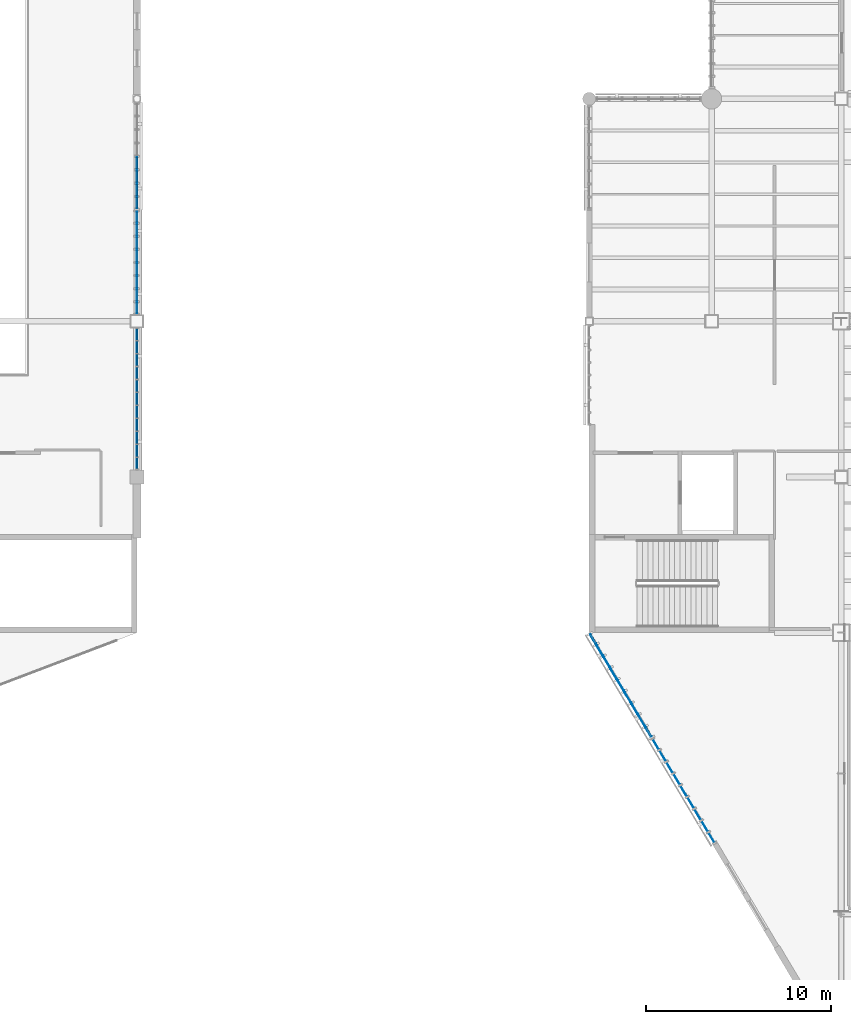
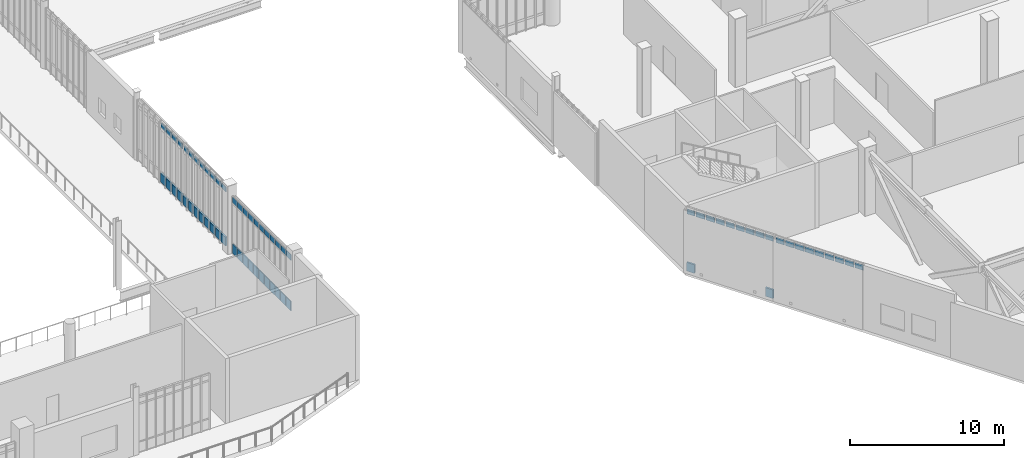
# One storey, part 95 of 135: 66 plates, 5 elements without a shape of their own.
"""IFC4 building model written with IfcOpenShell, lengths in metres."""

from ifc_helpers import new_model, si_unit, direction, frame, origin, origin_2d, place, context, subcontext, project, spatial, rectangle, extrude, material, layer, layer_set, type_object, element, aggregate, save


model = new_model("IFC4")

# Units and contexts
model_context = context("Model", 3, precision=1e-05, world=origin(), true_north=direction((0.0, 1.0)))
body_context = subcontext(model_context, "Body", "Model", "MODEL_VIEW")
ifc_project = project(units=[si_unit("LENGTHUNIT", "METRE"), si_unit("AREAUNIT", "SQUARE_METRE"), si_unit("VOLUMEUNIT", "CUBIC_METRE"), si_unit("PLANEANGLEUNIT", "RADIAN"), si_unit("MASSUNIT", "GRAM", prefix="KILO")], contexts=[model_context])

# Site, building, storey
site_placement = place(None, origin())
site = spatial("IfcSite", under=ifc_project, at=site_placement, CompositionType="ELEMENT")
building_placement = place(site_placement, origin())
building = spatial("IfcBuilding", under=site, at=building_placement, Name="Larkvane Passage Sports Hall", CompositionType="ELEMENT")
storey_placement = place(building_placement, frame((0.0, 0.0, 16.800048828125)))
storey = spatial("IfcBuildingStorey", under=building, at=storey_placement, Name="L03", CompositionType="ELEMENT", Elevation=16.800048828125)

# Curtain wall, plates
ifc_material_1 = material(Name="Thermally broken aluminium and low-E glazing", Category="aluminium")
curtain_wall_type_1 = type_object("IfcCurtainWallType", Name="CW-STICK-FOYER", PredefinedType="USERDEFINED", material=ifc_material_1)
curtain_wall_1_placement = place(storey_placement, origin())
curtain_wall_1 = element("IfcCurtainWall", 1, at=curtain_wall_1_placement, inside=storey, type_object=curtain_wall_type_1, Name="Curtain wall CW5-L03-146", ObjectType="STICK CURTAIN WALL", PredefinedType="USERDEFINED")
ifc_material_2 = material(Name="Fire-stopped shadow-box spandrel panel")
ifc_layer_1 = layer(ifc_material_2, 0.10498046875)
ifc_layer_set_1 = layer_set([ifc_layer_1], Name="Fire-stopped shadow-box spandrel panel")
plate_type_1 = type_object("IfcPlateType", Name="CWP-SPD-105", PredefinedType="CURTAIN_PANEL", material=ifc_layer_set_1)
plate_1_placement = place(storey_placement, frame((93.60009765625, 48.137939453125, 0.08984375), z_axis=(0.0, 0.0, 1.0), x_axis=(0.0, -1.0, 0.0)))
plate_1 = element("IfcPlate", 2, at=plate_1_placement, type_object=plate_type_1, Name="CW-03 panel 5.1", PredefinedType="CURTAIN_PANEL", context=body_context, shape_type="SweptSolid", body=[
    extrude(rectangle(XDim=0.635009765625, YDim=0.10498046875, at=origin_2d()), origin(), (0.0, 0.0, 1.0), 0.715087890625),
])
plate_2_placement = place(storey_placement, frame((93.60009765625, 47.412841796875, 0.08984375), z_axis=(0.0, 0.0, 1.0), x_axis=(0.0, -1.0, 0.0)))
plate_2 = element("IfcPlate", 3, at=plate_2_placement, type_object=plate_type_1, Name="CW-03 panel 6.1", PredefinedType="CURTAIN_PANEL", context=body_context, shape_type="SweptSolid", body=[
    extrude(rectangle(XDim=0.635009765625, YDim=0.10498046875, at=origin_2d()), origin(), (0.0, 0.0, 1.0), 0.715087890625),
])
plate_3_placement = place(storey_placement, frame((93.60009765625, 46.687744140625, 0.08984375), z_axis=(0.0, 0.0, 1.0), x_axis=(0.0, -1.0, 0.0)))
plate_3 = element("IfcPlate", 4, at=plate_3_placement, type_object=plate_type_1, Name="CW-03 panel 7.1", PredefinedType="CURTAIN_PANEL", context=body_context, shape_type="SweptSolid", body=[
    extrude(rectangle(XDim=0.635009765625, YDim=0.10498046875, at=origin_2d()), origin(), (0.0, 0.0, 1.0), 0.715087890625),
])
plate_4_placement = place(storey_placement, frame((93.60009765625, 45.985107421875, 0.08984375), z_axis=(0.0, 0.0, 1.0), x_axis=(0.0, -1.0, 0.0)))
plate_4 = element("IfcPlate", 5, at=plate_4_placement, type_object=plate_type_1, Name="CW-03 panel 8.1", PredefinedType="CURTAIN_PANEL", context=body_context, shape_type="SweptSolid", body=[
    extrude(rectangle(XDim=0.590087890625, YDim=0.10498046875, at=origin_2d()), origin(), (0.0, 0.0, 1.0), 0.715087890625),
])

curtain_wall_type_2 = type_object("IfcCurtainWallType", Name="CW-CLINIC", PredefinedType="USERDEFINED", material=ifc_material_1)
curtain_wall_2_placement = place(storey_placement, origin())
curtain_wall_2 = element("IfcCurtainWall", 6, at=curtain_wall_2_placement, inside=storey, type_object=curtain_wall_type_2, Name="Curtain wall CW5-L03-119", ObjectType="UNITISED CURTAIN WALL", PredefinedType="USERDEFINED")
ifc_material_3 = material(Name="Deep insulated facade spandrel panel")
ifc_layer_2 = layer(ifc_material_3, 0.125)
ifc_layer_set_2 = layer_set([ifc_layer_2], Name="Deep insulated facade spandrel panel")
plate_type_2 = type_object("IfcPlateType", Name="CWP-SPD-125", PredefinedType="CURTAIN_PANEL", material=ifc_layer_set_2)
plate_5_placement = place(storey_placement, frame((121.197265625, 17.439697265625, 0.10986328125), z_axis=(0.0, 0.0, 1.0), x_axis=(-0.512274395044, 0.858821834947, 0.0)))
plate_5 = element("IfcPlate", 7, at=plate_5_placement, type_object=plate_type_2, Name="CW-05 panel 1.1", PredefinedType="CURTAIN_PANEL", context=body_context, shape_type="SweptSolid", body=[
    extrude(rectangle(XDim=0.571044921875, YDim=0.125, at=origin_2d()), origin(), (0.0, 0.0, 1.0), 0.68505859375),
])
plate_6_placement = place(storey_placement, frame((118.208740234375, 22.4501953125, 0.10986328125), z_axis=(0.0, 0.0, 1.0), x_axis=(-0.512274395044, 0.858821834947, 0.0)))
plate_6 = element("IfcPlate", 8, at=plate_6_placement, type_object=plate_type_2, Name="CW-05 panel 9.1", PredefinedType="CURTAIN_PANEL", context=body_context, shape_type="SweptSolid", body=[
    extrude(rectangle(XDim=0.571044921875, YDim=0.125, at=origin_2d()), origin(), (0.0, 0.0, 1.0), 0.68505859375),
])

curtain_wall_3_placement = place(storey_placement, origin())
curtain_wall_3 = element("IfcCurtainWall", 9, at=curtain_wall_3_placement, inside=storey, type_object=curtain_wall_type_2, Name="Curtain wall CW5-L03-147", ObjectType="UNITISED CURTAIN WALL", PredefinedType="USERDEFINED")
plate_7_placement = place(storey_placement, frame((93.60009765625, 45.2216796875, 0.10009765625), z_axis=(0.0, 0.0, 1.0), x_axis=(0.0, -1.0, 0.0)))
plate_7 = element("IfcPlate", 10, at=plate_7_placement, type_object=plate_type_2, Name="CW-05 panel 1.1", PredefinedType="CURTAIN_PANEL", context=body_context, shape_type="SweptSolid", body=[
    extrude(rectangle(XDim=0.556640625, YDim=0.125, at=origin_2d()), origin(), (0.0, 0.0, 1.0), 0.699951171875),
])
plate_8_placement = place(storey_placement, frame((93.60009765625, 44.539794921875, 0.10009765625), z_axis=(0.0, 0.0, 1.0), x_axis=(0.0, -1.0, 0.0)))
plate_8 = element("IfcPlate", 11, at=plate_8_placement, type_object=plate_type_2, Name="CW-05 panel 2.1", PredefinedType="CURTAIN_PANEL", context=body_context, shape_type="SweptSolid", body=[
    extrude(rectangle(XDim=0.606689453125, YDim=0.125, at=origin_2d()), origin(), (0.0, 0.0, 1.0), 0.699951171875),
])
plate_9_placement = place(storey_placement, frame((93.60009765625, 43.8330078125, 0.10009765625), z_axis=(0.0, 0.0, 1.0), x_axis=(0.0, -1.0, 0.0)))
plate_9 = element("IfcPlate", 12, at=plate_9_placement, type_object=plate_type_2, Name="CW-05 panel 3.1", PredefinedType="CURTAIN_PANEL", context=body_context, shape_type="SweptSolid", body=[
    extrude(rectangle(XDim=0.606689453125, YDim=0.125, at=origin_2d()), origin(), (0.0, 0.0, 1.0), 0.699951171875),
])
plate_10_placement = place(storey_placement, frame((93.60009765625, 43.12646484375, 0.10009765625), z_axis=(0.0, 0.0, 1.0), x_axis=(0.0, -1.0, 0.0)))
plate_10 = element("IfcPlate", 13, at=plate_10_placement, type_object=plate_type_2, Name="CW-05 panel 4.1", PredefinedType="CURTAIN_PANEL", context=body_context, shape_type="SweptSolid", body=[
    extrude(rectangle(XDim=0.606689453125, YDim=0.125, at=origin_2d()), origin(), (0.0, 0.0, 1.0), 0.699951171875),
])
plate_11_placement = place(storey_placement, frame((93.60009765625, 42.419677734375, 0.10009765625), z_axis=(0.0, 0.0, 1.0), x_axis=(0.0, -1.0, 0.0)))
plate_11 = element("IfcPlate", 14, at=plate_11_placement, type_object=plate_type_2, Name="CW-05 panel 5.1", PredefinedType="CURTAIN_PANEL", context=body_context, shape_type="SweptSolid", body=[
    extrude(rectangle(XDim=0.606689453125, YDim=0.125, at=origin_2d()), origin(), (0.0, 0.0, 1.0), 0.699951171875),
])
plate_12_placement = place(storey_placement, frame((93.60009765625, 41.712890625, 0.10009765625), z_axis=(0.0, 0.0, 1.0), x_axis=(0.0, -1.0, 0.0)))
plate_12 = element("IfcPlate", 15, at=plate_12_placement, type_object=plate_type_2, Name="CW-05 panel 6.1", PredefinedType="CURTAIN_PANEL", context=body_context, shape_type="SweptSolid", body=[
    extrude(rectangle(XDim=0.606689453125, YDim=0.125, at=origin_2d()), origin(), (0.0, 0.0, 1.0), 0.699951171875),
])
plate_13_placement = place(storey_placement, frame((93.60009765625, 41.006103515625, 0.10009765625), z_axis=(0.0, 0.0, 1.0), x_axis=(0.0, -1.0, 0.0)))
plate_13 = element("IfcPlate", 16, at=plate_13_placement, type_object=plate_type_2, Name="CW-05 panel 7.1", PredefinedType="CURTAIN_PANEL", context=body_context, shape_type="SweptSolid", body=[
    extrude(rectangle(XDim=0.606689453125, YDim=0.125, at=origin_2d()), origin(), (0.0, 0.0, 1.0), 0.699951171875),
])
plate_14_placement = place(storey_placement, frame((93.60009765625, 40.324462890625, 0.10009765625), z_axis=(0.0, 0.0, 1.0), x_axis=(0.0, -1.0, 0.0)))
plate_14 = element("IfcPlate", 17, at=plate_14_placement, type_object=plate_type_2, Name="CW-05 panel 8.1", PredefinedType="CURTAIN_PANEL", context=body_context, shape_type="SweptSolid", body=[
    extrude(rectangle(XDim=0.556640625, YDim=0.125, at=origin_2d()), origin(), (0.0, 0.0, 1.0), 0.699951171875),
])

curtain_wall_type_3 = type_object("IfcCurtainWallType", Name="CW-UNIT-COURT", PredefinedType="USERDEFINED", material=ifc_material_1)
curtain_wall_4_placement = place(storey_placement, origin())
curtain_wall_4 = element("IfcCurtainWall", 18, at=curtain_wall_4_placement, inside=storey, type_object=curtain_wall_type_3, Name="Curtain wall CW5-L03-148", ObjectType="UNITISED CURTAIN WALL", PredefinedType="USERDEFINED")
ifc_material_4 = material(Name="Insulated aluminium spandrel panel", Category="aluminium")
ifc_layer_3 = layer(ifc_material_4, 0.06494140625)
ifc_layer_set_3 = layer_set([ifc_layer_3], Name="Insulated aluminium spandrel panel")
plate_type_3 = type_object("IfcPlateType", Name="CWP-SPD-65", PredefinedType="CURTAIN_PANEL", material=ifc_layer_set_3)
plate_15_placement = place(storey_placement, frame((93.60009765625, 38.889892578125, 0.06005859375), z_axis=(0.0, 0.0, 1.0), x_axis=(0.0, -1.0, 0.0)))
plate_15 = element("IfcPlate", 19, at=plate_15_placement, type_object=plate_type_3, Name="CW-01 panel 1.1", PredefinedType="CURTAIN_PANEL", context=body_context, shape_type="SweptSolid", body=[
    extrude(rectangle(XDim=0.6083984375, YDim=0.06494140625, at=origin_2d()), origin(), (0.0, 0.0, 1.0), 0.760009765625),
])
plate_16_placement = place(storey_placement, frame((93.60009765625, 38.206298828125, 0.06005859375), z_axis=(0.0, 0.0, 1.0), x_axis=(0.0, -1.0, 0.0)))
plate_16 = element("IfcPlate", 20, at=plate_16_placement, type_object=plate_type_3, Name="CW-01 panel 2.1", PredefinedType="CURTAIN_PANEL", context=body_context, shape_type="SweptSolid", body=[
    extrude(rectangle(XDim=0.638427734375, YDim=0.06494140625, at=origin_2d()), origin(), (0.0, 0.0, 1.0), 0.760009765625),
])
plate_17_placement = place(storey_placement, frame((93.60009765625, 37.5078125, 0.06005859375), z_axis=(0.0, 0.0, 1.0), x_axis=(0.0, -1.0, 0.0)))
plate_17 = element("IfcPlate", 21, at=plate_17_placement, type_object=plate_type_3, Name="CW-01 panel 3.1", PredefinedType="CURTAIN_PANEL", context=body_context, shape_type="SweptSolid", body=[
    extrude(rectangle(XDim=0.638427734375, YDim=0.06494140625, at=origin_2d()), origin(), (0.0, 0.0, 1.0), 0.760009765625),
])
plate_18_placement = place(storey_placement, frame((93.60009765625, 36.809326171875, 0.06005859375), z_axis=(0.0, 0.0, 1.0), x_axis=(0.0, -1.0, 0.0)))
plate_18 = element("IfcPlate", 22, at=plate_18_placement, type_object=plate_type_3, Name="CW-01 panel 4.1", PredefinedType="CURTAIN_PANEL", context=body_context, shape_type="SweptSolid", body=[
    extrude(rectangle(XDim=0.638427734375, YDim=0.06494140625, at=origin_2d()), origin(), (0.0, 0.0, 1.0), 0.760009765625),
])
plate_19_placement = place(storey_placement, frame((93.60009765625, 36.11083984375, 0.06005859375), z_axis=(0.0, 0.0, 1.0), x_axis=(0.0, -1.0, 0.0)))
plate_19 = element("IfcPlate", 23, at=plate_19_placement, type_object=plate_type_3, Name="CW-01 panel 5.1", PredefinedType="CURTAIN_PANEL", context=body_context, shape_type="SweptSolid", body=[
    extrude(rectangle(XDim=0.638427734375, YDim=0.06494140625, at=origin_2d()), origin(), (0.0, 0.0, 1.0), 0.760009765625),
])
plate_20_placement = place(storey_placement, frame((93.60009765625, 35.41259765625, 0.06005859375), z_axis=(0.0, 0.0, 1.0), x_axis=(0.0, -1.0, 0.0)))
plate_20 = element("IfcPlate", 24, at=plate_20_placement, type_object=plate_type_3, Name="CW-01 panel 6.1", PredefinedType="CURTAIN_PANEL", context=body_context, shape_type="SweptSolid", body=[
    extrude(rectangle(XDim=0.638427734375, YDim=0.06494140625, at=origin_2d()), origin(), (0.0, 0.0, 1.0), 0.760009765625),
])
plate_21_placement = place(storey_placement, frame((93.60009765625, 34.714111328125, 0.06005859375), z_axis=(0.0, 0.0, 1.0), x_axis=(0.0, -1.0, 0.0)))
plate_21 = element("IfcPlate", 25, at=plate_21_placement, type_object=plate_type_3, Name="CW-01 panel 7.1", PredefinedType="CURTAIN_PANEL", context=body_context, shape_type="SweptSolid", body=[
    extrude(rectangle(XDim=0.638427734375, YDim=0.06494140625, at=origin_2d()), origin(), (0.0, 0.0, 1.0), 0.760009765625),
])
plate_22_placement = place(storey_placement, frame((93.60009765625, 34.015625, 0.06005859375), z_axis=(0.0, 0.0, 1.0), x_axis=(0.0, -1.0, 0.0)))
plate_22 = element("IfcPlate", 26, at=plate_22_placement, type_object=plate_type_3, Name="CW-01 panel 8.1", PredefinedType="CURTAIN_PANEL", context=body_context, shape_type="SweptSolid", body=[
    extrude(rectangle(XDim=0.638427734375, YDim=0.06494140625, at=origin_2d()), origin(), (0.0, 0.0, 1.0), 0.760009765625),
])
plate_23_placement = place(storey_placement, frame((93.60009765625, 33.317138671875, 0.06005859375), z_axis=(0.0, 0.0, 1.0), x_axis=(0.0, -1.0, 0.0)))
plate_23 = element("IfcPlate", 27, at=plate_23_placement, type_object=plate_type_3, Name="CW-01 panel 9.1", PredefinedType="CURTAIN_PANEL", context=body_context, shape_type="SweptSolid", body=[
    extrude(rectangle(XDim=0.638427734375, YDim=0.06494140625, at=origin_2d()), origin(), (0.0, 0.0, 1.0), 0.760009765625),
])
plate_24_placement = place(storey_placement, frame((93.60009765625, 32.61865234375, 0.06005859375), z_axis=(0.0, 0.0, 1.0), x_axis=(0.0, -1.0, 0.0)))
plate_24 = element("IfcPlate", 28, at=plate_24_placement, type_object=plate_type_3, Name="CW-01 panel 10.1", PredefinedType="CURTAIN_PANEL", context=body_context, shape_type="SweptSolid", body=[
    extrude(rectangle(XDim=0.638427734375, YDim=0.06494140625, at=origin_2d()), origin(), (0.0, 0.0, 1.0), 0.760009765625),
])
plate_25_placement = place(storey_placement, frame((93.60009765625, 31.935302734375, 0.06005859375), z_axis=(0.0, 0.0, 1.0), x_axis=(0.0, -1.0, 0.0)))
plate_25 = element("IfcPlate", 29, at=plate_25_placement, type_object=plate_type_3, Name="CW-01 panel 11.1", PredefinedType="CURTAIN_PANEL", context=body_context, shape_type="SweptSolid", body=[
    extrude(rectangle(XDim=0.6083984375, YDim=0.06494140625, at=origin_2d()), origin(), (0.0, 0.0, 1.0), 0.760009765625),
])
ifc_material_5 = material(Name="Solar-control low-E double glazing", Category="glass")
ifc_layer_4 = layer(ifc_material_5, 0.028076171875)
ifc_layer_set_4 = layer_set([ifc_layer_4], Name="Solar-control low-E double glazing")
plate_type_4 = type_object("IfcPlateType", Name="CWP-VIS-28", PredefinedType="CURTAIN_PANEL", material=ifc_layer_set_4)
plate_26_placement = place(storey_placement, frame((93.60009765625, 38.889892578125, 4.0380859375), z_axis=(0.0, 0.0, 1.0), x_axis=(0.0, -1.0, 0.0)))
plate_26 = element("IfcPlate", 30, at=plate_26_placement, type_object=plate_type_4, Name="CW-01 panel 1.3", PredefinedType="CURTAIN_PANEL", context=body_context, shape_type="SweptSolid", body=[
    extrude(rectangle(XDim=0.6083984375, YDim=0.028076171875, at=origin_2d()), origin(), (0.0, 0.0, 1.0), 0.4599609375),
])
plate_27_placement = place(storey_placement, frame((93.60009765625, 38.206298828125, 4.0380859375), z_axis=(0.0, 0.0, 1.0), x_axis=(0.0, -1.0, 0.0)))
plate_27 = element("IfcPlate", 31, at=plate_27_placement, type_object=plate_type_4, Name="CW-01 panel 2.3", PredefinedType="CURTAIN_PANEL", context=body_context, shape_type="SweptSolid", body=[
    extrude(rectangle(XDim=0.638427734375, YDim=0.028076171875, at=origin_2d()), origin(), (0.0, 0.0, 1.0), 0.4599609375),
])
plate_28_placement = place(storey_placement, frame((93.60009765625, 37.5078125, 4.0380859375), z_axis=(0.0, 0.0, 1.0), x_axis=(0.0, -1.0, 0.0)))
plate_28 = element("IfcPlate", 32, at=plate_28_placement, type_object=plate_type_4, Name="CW-01 panel 3.3", PredefinedType="CURTAIN_PANEL", context=body_context, shape_type="SweptSolid", body=[
    extrude(rectangle(XDim=0.638427734375, YDim=0.028076171875, at=origin_2d()), origin(), (0.0, 0.0, 1.0), 0.4599609375),
])
plate_29_placement = place(storey_placement, frame((93.60009765625, 36.809326171875, 4.0380859375), z_axis=(0.0, 0.0, 1.0), x_axis=(0.0, -1.0, 0.0)))
plate_29 = element("IfcPlate", 33, at=plate_29_placement, type_object=plate_type_4, Name="CW-01 panel 4.3", PredefinedType="CURTAIN_PANEL", context=body_context, shape_type="SweptSolid", body=[
    extrude(rectangle(XDim=0.638427734375, YDim=0.028076171875, at=origin_2d()), origin(), (0.0, 0.0, 1.0), 0.4599609375),
])
plate_30_placement = place(storey_placement, frame((93.60009765625, 36.11083984375, 4.0380859375), z_axis=(0.0, 0.0, 1.0), x_axis=(0.0, -1.0, 0.0)))
plate_30 = element("IfcPlate", 34, at=plate_30_placement, type_object=plate_type_4, Name="CW-01 panel 5.3", PredefinedType="CURTAIN_PANEL", context=body_context, shape_type="SweptSolid", body=[
    extrude(rectangle(XDim=0.638427734375, YDim=0.028076171875, at=origin_2d()), origin(), (0.0, 0.0, 1.0), 0.4599609375),
])
plate_31_placement = place(storey_placement, frame((93.60009765625, 35.41259765625, 4.0380859375), z_axis=(0.0, 0.0, 1.0), x_axis=(0.0, -1.0, 0.0)))
plate_31 = element("IfcPlate", 35, at=plate_31_placement, type_object=plate_type_4, Name="CW-01 panel 6.3", PredefinedType="CURTAIN_PANEL", context=body_context, shape_type="SweptSolid", body=[
    extrude(rectangle(XDim=0.638427734375, YDim=0.028076171875, at=origin_2d()), origin(), (0.0, 0.0, 1.0), 0.4599609375),
])
plate_32_placement = place(storey_placement, frame((93.60009765625, 34.714111328125, 4.0380859375), z_axis=(0.0, 0.0, 1.0), x_axis=(0.0, -1.0, 0.0)))
plate_32 = element("IfcPlate", 36, at=plate_32_placement, type_object=plate_type_4, Name="CW-01 panel 7.3", PredefinedType="CURTAIN_PANEL", context=body_context, shape_type="SweptSolid", body=[
    extrude(rectangle(XDim=0.638427734375, YDim=0.028076171875, at=origin_2d()), origin(), (0.0, 0.0, 1.0), 0.4599609375),
])
plate_33_placement = place(storey_placement, frame((93.60009765625, 34.015625, 4.0380859375), z_axis=(0.0, 0.0, 1.0), x_axis=(0.0, -1.0, 0.0)))
plate_33 = element("IfcPlate", 37, at=plate_33_placement, type_object=plate_type_4, Name="CW-01 panel 8.3", PredefinedType="CURTAIN_PANEL", context=body_context, shape_type="SweptSolid", body=[
    extrude(rectangle(XDim=0.638427734375, YDim=0.028076171875, at=origin_2d()), origin(), (0.0, 0.0, 1.0), 0.4599609375),
])
plate_34_placement = place(storey_placement, frame((93.60009765625, 33.317138671875, 4.0380859375), z_axis=(0.0, 0.0, 1.0), x_axis=(0.0, -1.0, 0.0)))
plate_34 = element("IfcPlate", 38, at=plate_34_placement, type_object=plate_type_4, Name="CW-01 panel 9.3", PredefinedType="CURTAIN_PANEL", context=body_context, shape_type="SweptSolid", body=[
    extrude(rectangle(XDim=0.638427734375, YDim=0.028076171875, at=origin_2d()), origin(), (0.0, 0.0, 1.0), 0.4599609375),
])
plate_35_placement = place(storey_placement, frame((93.60009765625, 32.61865234375, 4.0380859375), z_axis=(0.0, 0.0, 1.0), x_axis=(0.0, -1.0, 0.0)))
plate_35 = element("IfcPlate", 39, at=plate_35_placement, type_object=plate_type_4, Name="CW-01 panel 10.3", PredefinedType="CURTAIN_PANEL", context=body_context, shape_type="SweptSolid", body=[
    extrude(rectangle(XDim=0.638427734375, YDim=0.028076171875, at=origin_2d()), origin(), (0.0, 0.0, 1.0), 0.4599609375),
])
plate_36_placement = place(storey_placement, frame((93.60009765625, 31.935302734375, 4.0380859375), z_axis=(0.0, 0.0, 1.0), x_axis=(0.0, -1.0, 0.0)))
plate_36 = element("IfcPlate", 40, at=plate_36_placement, type_object=plate_type_4, Name="CW-01 panel 11.3", PredefinedType="CURTAIN_PANEL", context=body_context, shape_type="SweptSolid", body=[
    extrude(rectangle(XDim=0.6083984375, YDim=0.028076171875, at=origin_2d()), origin(), (0.0, 0.0, 1.0), 0.4599609375),
])
aggregate(curtain_wall_4, [plate_15, plate_26, plate_16, plate_27, plate_17, plate_28, plate_18, plate_29, plate_19, plate_30, plate_20, plate_31, plate_21, plate_32, plate_22, plate_33, plate_23, plate_34, plate_24, plate_35, plate_25, plate_36])

curtain_wall_5_placement = place(storey_placement, origin())
curtain_wall_5 = element("IfcCurtainWall", 41, at=curtain_wall_5_placement, inside=storey, type_object=curtain_wall_type_1, Name="Curtain wall CW5-L03-118", ObjectType="STICK CURTAIN WALL", PredefinedType="USERDEFINED")
ifc_material_6 = material(Name="High-impact court low-E glazing", Category="glass")
ifc_layer_5 = layer(ifc_material_6, 0.035888671875)
ifc_layer_set_5 = layer_set([ifc_layer_5], Name="High-impact court low-E glazing")
plate_type_5 = type_object("IfcPlateType", Name="CWP-VIS-36", PredefinedType="CURTAIN_PANEL", material=ifc_layer_set_5)
plate_37_placement = place(storey_placement, frame((124.600830078125, 11.73388671875, 4.58984375), z_axis=(0.0, 0.0, 1.0), x_axis=(-0.512278301212, 0.858819504964, 0.0)))
plate_37 = element("IfcPlate", 42, at=plate_37_placement, type_object=plate_type_5, Name="CW-03 panel 1.3", PredefinedType="CURTAIN_PANEL", context=body_context, shape_type="SweptSolid", body=[
    extrude(rectangle(XDim=0.617431640625, YDim=0.035888671875, at=origin_2d()), origin(), (0.0, 0.0, 1.0), 0.429931640625),
])
plate_38_placement = place(storey_placement, frame((124.2333984375, 12.35009765625, 4.58984375), z_axis=(0.0, 0.0, 1.0), x_axis=(-0.512278301212, 0.858819504964, 0.0)))
plate_38 = element("IfcPlate", 43, at=plate_38_placement, type_object=plate_type_5, Name="CW-03 panel 2.3", PredefinedType="CURTAIN_PANEL", context=body_context, shape_type="SweptSolid", body=[
    extrude(rectangle(XDim=0.657470703125, YDim=0.035888671875, at=origin_2d()), origin(), (0.0, 0.0, 1.0), 0.429931640625),
])
plate_39_placement = place(storey_placement, frame((123.85546875, 12.9833984375, 4.58984375), z_axis=(0.0, 0.0, 1.0), x_axis=(-0.512278301212, 0.858819504964, 0.0)))
plate_39 = element("IfcPlate", 44, at=plate_39_placement, type_object=plate_type_5, Name="CW-03 panel 3.3", PredefinedType="CURTAIN_PANEL", context=body_context, shape_type="SweptSolid", body=[
    extrude(rectangle(XDim=0.657470703125, YDim=0.035888671875, at=origin_2d()), origin(), (0.0, 0.0, 1.0), 0.429931640625),
])
plate_40_placement = place(storey_placement, frame((123.477783203125, 13.61669921875, 4.58984375), z_axis=(0.0, 0.0, 1.0), x_axis=(-0.512278301212, 0.858819504964, 0.0)))
plate_40 = element("IfcPlate", 45, at=plate_40_placement, type_object=plate_type_5, Name="CW-03 panel 4.3", PredefinedType="CURTAIN_PANEL", context=body_context, shape_type="SweptSolid", body=[
    extrude(rectangle(XDim=0.657470703125, YDim=0.035888671875, at=origin_2d()), origin(), (0.0, 0.0, 1.0), 0.429931640625),
])
plate_41_placement = place(storey_placement, frame((123.10009765625, 14.25, 4.58984375), z_axis=(0.0, 0.0, 1.0), x_axis=(-0.512278301212, 0.858819504964, 0.0)))
plate_41 = element("IfcPlate", 46, at=plate_41_placement, type_object=plate_type_5, Name="CW-03 panel 5.3", PredefinedType="CURTAIN_PANEL", context=body_context, shape_type="SweptSolid", body=[
    extrude(rectangle(XDim=0.657470703125, YDim=0.035888671875, at=origin_2d()), origin(), (0.0, 0.0, 1.0), 0.429931640625),
])
plate_42_placement = place(storey_placement, frame((122.72216796875, 14.88330078125, 4.58984375), z_axis=(0.0, 0.0, 1.0), x_axis=(-0.512278301212, 0.858819504964, 0.0)))
plate_42 = element("IfcPlate", 47, at=plate_42_placement, type_object=plate_type_5, Name="CW-03 panel 6.3", PredefinedType="CURTAIN_PANEL", context=body_context, shape_type="SweptSolid", body=[
    extrude(rectangle(XDim=0.657470703125, YDim=0.035888671875, at=origin_2d()), origin(), (0.0, 0.0, 1.0), 0.429931640625),
])
plate_43_placement = place(storey_placement, frame((122.344482421875, 15.5166015625, 4.58984375), z_axis=(0.0, 0.0, 1.0), x_axis=(-0.512278301212, 0.858819504964, 0.0)))
plate_43 = element("IfcPlate", 48, at=plate_43_placement, type_object=plate_type_5, Name="CW-03 panel 7.3", PredefinedType="CURTAIN_PANEL", context=body_context, shape_type="SweptSolid", body=[
    extrude(rectangle(XDim=0.657470703125, YDim=0.035888671875, at=origin_2d()), origin(), (0.0, 0.0, 1.0), 0.429931640625),
])
plate_44_placement = place(storey_placement, frame((121.966552734375, 16.14990234375, 4.58984375), z_axis=(0.0, 0.0, 1.0), x_axis=(-0.512278301212, 0.858819504964, 0.0)))
plate_44 = element("IfcPlate", 49, at=plate_44_placement, type_object=plate_type_5, Name="CW-03 panel 8.3", PredefinedType="CURTAIN_PANEL", context=body_context, shape_type="SweptSolid", body=[
    extrude(rectangle(XDim=0.657470703125, YDim=0.035888671875, at=origin_2d()), origin(), (0.0, 0.0, 1.0), 0.429931640625),
])
plate_45_placement = place(storey_placement, frame((121.59912109375, 16.76611328125, 4.58984375), z_axis=(0.0, 0.0, 1.0), x_axis=(-0.512278301212, 0.858819504964, 0.0)))
plate_45 = element("IfcPlate", 50, at=plate_45_placement, type_object=plate_type_5, Name="CW-03 panel 9.3", PredefinedType="CURTAIN_PANEL", context=body_context, shape_type="SweptSolid", body=[
    extrude(rectangle(XDim=0.617431640625, YDim=0.035888671875, at=origin_2d()), origin(), (0.0, 0.0, 1.0), 0.429931640625),
])
aggregate(curtain_wall_5, [plate_37, plate_38, plate_39, plate_40, plate_41, plate_42, plate_43, plate_44, plate_45])

# Plate
plate_46_placement = place(storey_placement, frame((93.60009765625, 48.137939453125, 4.337890625), z_axis=(0.0, 0.0, 1.0), x_axis=(0.0, -1.0, 0.0)))
plate_46 = element("IfcPlate", 51, at=plate_46_placement, type_object=plate_type_5, Name="CW-03 panel 5.3", PredefinedType="CURTAIN_PANEL", context=body_context, shape_type="SweptSolid", body=[
    extrude(rectangle(XDim=0.635009765625, YDim=0.035888671875, at=origin_2d()), origin(), (0.0, 0.0, 1.0), 0.4150390625),
])

plate_47_placement = place(storey_placement, frame((93.60009765625, 47.412841796875, 4.337890625), z_axis=(0.0, 0.0, 1.0), x_axis=(0.0, -1.0, 0.0)))
plate_47 = element("IfcPlate", 52, at=plate_47_placement, type_object=plate_type_5, Name="CW-03 panel 6.3", PredefinedType="CURTAIN_PANEL", context=body_context, shape_type="SweptSolid", body=[
    extrude(rectangle(XDim=0.635009765625, YDim=0.035888671875, at=origin_2d()), origin(), (0.0, 0.0, 1.0), 0.4150390625),
])

plate_48_placement = place(storey_placement, frame((93.60009765625, 46.687744140625, 4.337890625), z_axis=(0.0, 0.0, 1.0), x_axis=(0.0, -1.0, 0.0)))
plate_48 = element("IfcPlate", 53, at=plate_48_placement, type_object=plate_type_5, Name="CW-03 panel 7.3", PredefinedType="CURTAIN_PANEL", context=body_context, shape_type="SweptSolid", body=[
    extrude(rectangle(XDim=0.635009765625, YDim=0.035888671875, at=origin_2d()), origin(), (0.0, 0.0, 1.0), 0.4150390625),
])

plate_49_placement = place(storey_placement, frame((93.60009765625, 45.985107421875, 4.337890625), z_axis=(0.0, 0.0, 1.0), x_axis=(0.0, -1.0, 0.0)))
plate_49 = element("IfcPlate", 54, at=plate_49_placement, type_object=plate_type_5, Name="CW-03 panel 8.3", PredefinedType="CURTAIN_PANEL", context=body_context, shape_type="SweptSolid", body=[
    extrude(rectangle(XDim=0.590087890625, YDim=0.035888671875, at=origin_2d()), origin(), (0.0, 0.0, 1.0), 0.4150390625),
])

aggregate(curtain_wall_1, [plate_1, plate_46, plate_2, plate_47, plate_3, plate_48, plate_4, plate_49])

ifc_material_7 = material(Name="Triple-laminated typhoon glazing", Category="glass")
ifc_layer_6 = layer(ifc_material_7, 0.0419921875)
ifc_layer_set_6 = layer_set([ifc_layer_6], Name="Triple-laminated typhoon glazing")
plate_type_6 = type_object("IfcPlateType", Name="CWP-VIS-42", PredefinedType="CURTAIN_PANEL", material=ifc_layer_set_6)
plate_50_placement = place(storey_placement, frame((121.197265625, 17.439697265625, 4.60498046875), z_axis=(0.0, 0.0, 1.0), x_axis=(-0.512274395044, 0.858821834947, 0.0)))
plate_50 = element("IfcPlate", 55, at=plate_50_placement, type_object=plate_type_6, Name="CW-05 panel 1.3", PredefinedType="CURTAIN_PANEL", context=body_context, shape_type="SweptSolid", body=[
    extrude(rectangle(XDim=0.571044921875, YDim=0.0419921875, at=origin_2d()), origin(), (0.0, 0.0, 1.0), 0.385009765625),
])

plate_51_placement = place(storey_placement, frame((120.834228515625, 18.04833984375, 4.60498046875), z_axis=(0.0, 0.0, 1.0), x_axis=(-0.512274395044, 0.858821834947, 0.0)))
plate_51 = element("IfcPlate", 56, at=plate_51_placement, type_object=plate_type_6, Name="CW-05 panel 2.3", PredefinedType="CURTAIN_PANEL", context=body_context, shape_type="SweptSolid", body=[
    extrude(rectangle(XDim=0.626220703125, YDim=0.0419921875, at=origin_2d()), origin(), (0.0, 0.0, 1.0), 0.385009765625),
])

plate_52_placement = place(storey_placement, frame((120.457275390625, 18.6806640625, 4.60498046875), z_axis=(0.0, 0.0, 1.0), x_axis=(-0.512274395044, 0.858821834947, 0.0)))
plate_52 = element("IfcPlate", 57, at=plate_52_placement, type_object=plate_type_6, Name="CW-05 panel 3.3", PredefinedType="CURTAIN_PANEL", context=body_context, shape_type="SweptSolid", body=[
    extrude(rectangle(XDim=0.626220703125, YDim=0.0419921875, at=origin_2d()), origin(), (0.0, 0.0, 1.0), 0.385009765625),
])

plate_53_placement = place(storey_placement, frame((120.080078125, 19.312744140625, 4.60498046875), z_axis=(0.0, 0.0, 1.0), x_axis=(-0.512274395044, 0.858821834947, 0.0)))
plate_53 = element("IfcPlate", 58, at=plate_53_placement, type_object=plate_type_6, Name="CW-05 panel 4.3", PredefinedType="CURTAIN_PANEL", context=body_context, shape_type="SweptSolid", body=[
    extrude(rectangle(XDim=0.626220703125, YDim=0.0419921875, at=origin_2d()), origin(), (0.0, 0.0, 1.0), 0.385009765625),
])

plate_54_placement = place(storey_placement, frame((119.702880859375, 19.945068359375, 4.60498046875), z_axis=(0.0, 0.0, 1.0), x_axis=(-0.512274395044, 0.858821834947, 0.0)))
plate_54 = element("IfcPlate", 59, at=plate_54_placement, type_object=plate_type_6, Name="CW-05 panel 5.3", PredefinedType="CURTAIN_PANEL", context=body_context, shape_type="SweptSolid", body=[
    extrude(rectangle(XDim=0.626220703125, YDim=0.0419921875, at=origin_2d()), origin(), (0.0, 0.0, 1.0), 0.385009765625),
])

plate_55_placement = place(storey_placement, frame((119.325927734375, 20.5771484375, 4.60498046875), z_axis=(0.0, 0.0, 1.0), x_axis=(-0.512274395044, 0.858821834947, 0.0)))
plate_55 = element("IfcPlate", 60, at=plate_55_placement, type_object=plate_type_6, Name="CW-05 panel 6.3", PredefinedType="CURTAIN_PANEL", context=body_context, shape_type="SweptSolid", body=[
    extrude(rectangle(XDim=0.626220703125, YDim=0.0419921875, at=origin_2d()), origin(), (0.0, 0.0, 1.0), 0.385009765625),
])

plate_56_placement = place(storey_placement, frame((118.94873046875, 21.20947265625, 4.60498046875), z_axis=(0.0, 0.0, 1.0), x_axis=(-0.512274395044, 0.858821834947, 0.0)))
plate_56 = element("IfcPlate", 61, at=plate_56_placement, type_object=plate_type_6, Name="CW-05 panel 7.3", PredefinedType="CURTAIN_PANEL", context=body_context, shape_type="SweptSolid", body=[
    extrude(rectangle(XDim=0.626220703125, YDim=0.0419921875, at=origin_2d()), origin(), (0.0, 0.0, 1.0), 0.385009765625),
])

plate_57_placement = place(storey_placement, frame((118.57177734375, 21.841552734375, 4.60498046875), z_axis=(0.0, 0.0, 1.0), x_axis=(-0.512274395044, 0.858821834947, 0.0)))
plate_57 = element("IfcPlate", 62, at=plate_57_placement, type_object=plate_type_6, Name="CW-05 panel 8.3", PredefinedType="CURTAIN_PANEL", context=body_context, shape_type="SweptSolid", body=[
    extrude(rectangle(XDim=0.626220703125, YDim=0.0419921875, at=origin_2d()), origin(), (0.0, 0.0, 1.0), 0.385009765625),
])

plate_58_placement = place(storey_placement, frame((118.208740234375, 22.4501953125, 4.60498046875), z_axis=(0.0, 0.0, 1.0), x_axis=(-0.512274395044, 0.858821834947, 0.0)))
plate_58 = element("IfcPlate", 63, at=plate_58_placement, type_object=plate_type_6, Name="CW-05 panel 9.3", PredefinedType="CURTAIN_PANEL", context=body_context, shape_type="SweptSolid", body=[
    extrude(rectangle(XDim=0.571044921875, YDim=0.0419921875, at=origin_2d()), origin(), (0.0, 0.0, 1.0), 0.385009765625),
])

aggregate(curtain_wall_2, [plate_5, plate_50, plate_51, plate_52, plate_53, plate_54, plate_55, plate_56, plate_57, plate_6, plate_58])

plate_59_placement = place(storey_placement, frame((93.60009765625, 45.2216796875, 4.343017578125), z_axis=(0.0, 0.0, 1.0), x_axis=(0.0, -1.0, 0.0)))
plate_59 = element("IfcPlate", 64, at=plate_59_placement, type_object=plate_type_6, Name="CW-05 panel 1.3", PredefinedType="CURTAIN_PANEL", context=body_context, shape_type="SweptSolid", body=[
    extrude(rectangle(XDim=0.556640625, YDim=0.0419921875, at=origin_2d()), origin(), (0.0, 0.0, 1.0), 0.39990234375),
])

plate_60_placement = place(storey_placement, frame((93.60009765625, 44.539794921875, 4.343017578125), z_axis=(0.0, 0.0, 1.0), x_axis=(0.0, -1.0, 0.0)))
plate_60 = element("IfcPlate", 65, at=plate_60_placement, type_object=plate_type_6, Name="CW-05 panel 2.3", PredefinedType="CURTAIN_PANEL", context=body_context, shape_type="SweptSolid", body=[
    extrude(rectangle(XDim=0.606689453125, YDim=0.0419921875, at=origin_2d()), origin(), (0.0, 0.0, 1.0), 0.39990234375),
])

plate_61_placement = place(storey_placement, frame((93.60009765625, 43.8330078125, 4.343017578125), z_axis=(0.0, 0.0, 1.0), x_axis=(0.0, -1.0, 0.0)))
plate_61 = element("IfcPlate", 66, at=plate_61_placement, type_object=plate_type_6, Name="CW-05 panel 3.3", PredefinedType="CURTAIN_PANEL", context=body_context, shape_type="SweptSolid", body=[
    extrude(rectangle(XDim=0.606689453125, YDim=0.0419921875, at=origin_2d()), origin(), (0.0, 0.0, 1.0), 0.39990234375),
])

plate_62_placement = place(storey_placement, frame((93.60009765625, 43.12646484375, 4.343017578125), z_axis=(0.0, 0.0, 1.0), x_axis=(0.0, -1.0, 0.0)))
plate_62 = element("IfcPlate", 67, at=plate_62_placement, type_object=plate_type_6, Name="CW-05 panel 4.3", PredefinedType="CURTAIN_PANEL", context=body_context, shape_type="SweptSolid", body=[
    extrude(rectangle(XDim=0.606689453125, YDim=0.0419921875, at=origin_2d()), origin(), (0.0, 0.0, 1.0), 0.39990234375),
])

plate_63_placement = place(storey_placement, frame((93.60009765625, 42.419677734375, 4.343017578125), z_axis=(0.0, 0.0, 1.0), x_axis=(0.0, -1.0, 0.0)))
plate_63 = element("IfcPlate", 68, at=plate_63_placement, type_object=plate_type_6, Name="CW-05 panel 5.3", PredefinedType="CURTAIN_PANEL", context=body_context, shape_type="SweptSolid", body=[
    extrude(rectangle(XDim=0.606689453125, YDim=0.0419921875, at=origin_2d()), origin(), (0.0, 0.0, 1.0), 0.39990234375),
])

plate_64_placement = place(storey_placement, frame((93.60009765625, 41.712890625, 4.343017578125), z_axis=(0.0, 0.0, 1.0), x_axis=(0.0, -1.0, 0.0)))
plate_64 = element("IfcPlate", 69, at=plate_64_placement, type_object=plate_type_6, Name="CW-05 panel 6.3", PredefinedType="CURTAIN_PANEL", context=body_context, shape_type="SweptSolid", body=[
    extrude(rectangle(XDim=0.606689453125, YDim=0.0419921875, at=origin_2d()), origin(), (0.0, 0.0, 1.0), 0.39990234375),
])

plate_65_placement = place(storey_placement, frame((93.60009765625, 41.006103515625, 4.343017578125), z_axis=(0.0, 0.0, 1.0), x_axis=(0.0, -1.0, 0.0)))
plate_65 = element("IfcPlate", 70, at=plate_65_placement, type_object=plate_type_6, Name="CW-05 panel 7.3", PredefinedType="CURTAIN_PANEL", context=body_context, shape_type="SweptSolid", body=[
    extrude(rectangle(XDim=0.606689453125, YDim=0.0419921875, at=origin_2d()), origin(), (0.0, 0.0, 1.0), 0.39990234375),
])

plate_66_placement = place(storey_placement, frame((93.60009765625, 40.324462890625, 4.343017578125), z_axis=(0.0, 0.0, 1.0), x_axis=(0.0, -1.0, 0.0)))
plate_66 = element("IfcPlate", 71, at=plate_66_placement, type_object=plate_type_6, Name="CW-05 panel 8.3", PredefinedType="CURTAIN_PANEL", context=body_context, shape_type="SweptSolid", body=[
    extrude(rectangle(XDim=0.556640625, YDim=0.0419921875, at=origin_2d()), origin(), (0.0, 0.0, 1.0), 0.39990234375),
])

aggregate(curtain_wall_3, [plate_7, plate_59, plate_8, plate_60, plate_9, plate_61, plate_10, plate_62, plate_11, plate_63, plate_12, plate_64, plate_13, plate_65, plate_14, plate_66])

save(model, "model.ifc")
